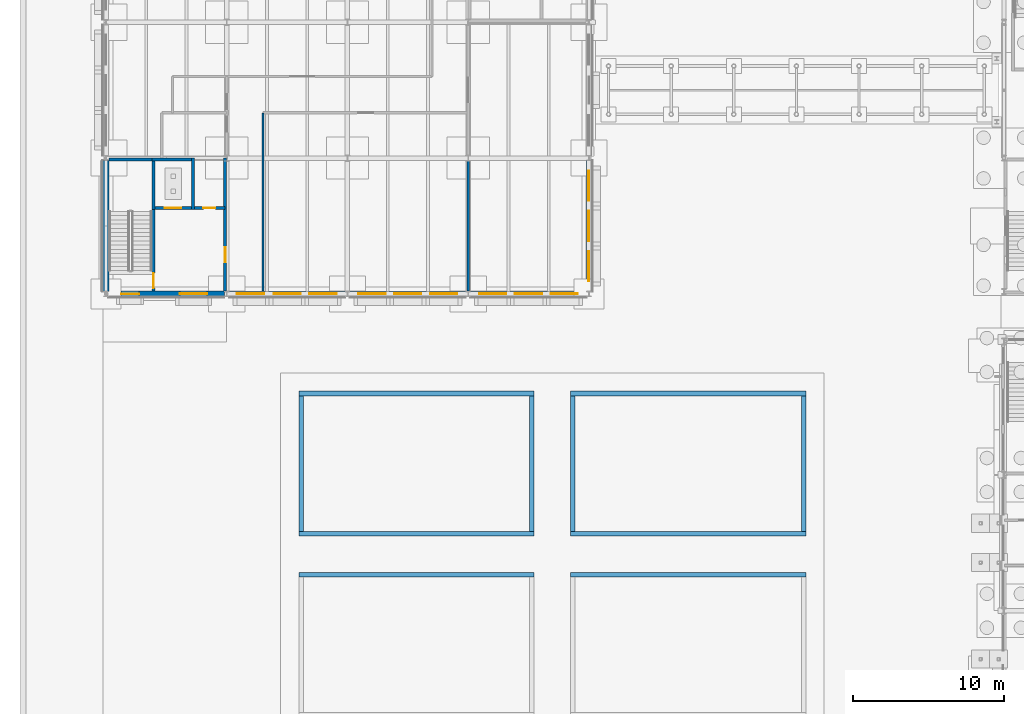
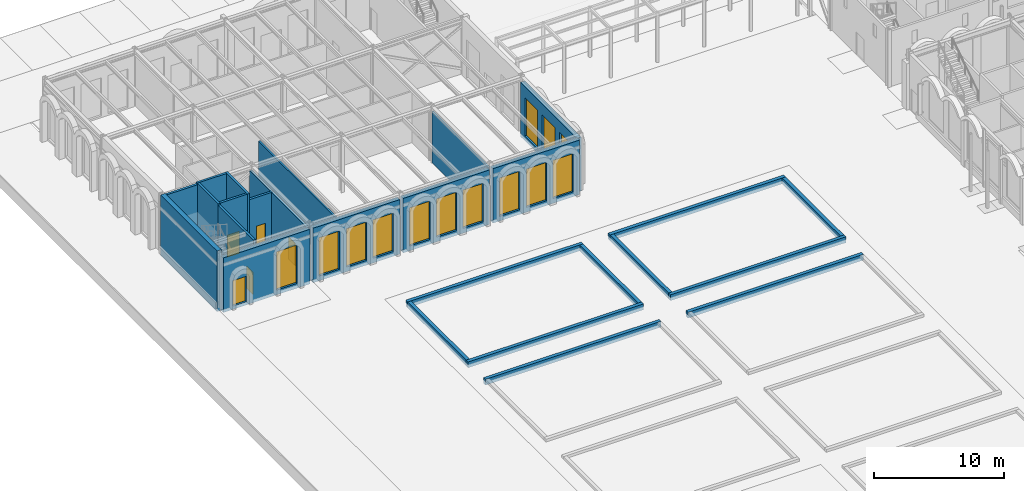
# One storey, part 74 of 126: 26 walls, 13 windows, 5 doors, 18 openings.
"""IFC4 building model written with IfcOpenShell, lengths in metres."""

from ifc_helpers import new_model, si_unit, direction, frame, frame_2d, origin, place, context, subcontext, project, spatial, rectangle, extrude, material, layer, layer_set, type_object, element, fill, save


model = new_model("IFC4")

# Units and contexts
model_context = context("Model", 3, precision=1e-05, world=origin(), true_north=direction((0.0, 1.0)))
body_context = subcontext(model_context, "Body", "Model", "MODEL_VIEW")
ifc_project = project(units=[si_unit("LENGTHUNIT", "METRE"), si_unit("AREAUNIT", "SQUARE_METRE"), si_unit("VOLUMEUNIT", "CUBIC_METRE"), si_unit("PLANEANGLEUNIT", "RADIAN"), si_unit("MASSUNIT", "GRAM", prefix="KILO")], contexts=[model_context])

# Site, building, storey
site_placement = place(None, origin())
site = spatial("IfcSite", under=ifc_project, at=site_placement, CompositionType="ELEMENT")
building_placement = place(site_placement, origin())
building = spatial("IfcBuilding", under=site, at=building_placement, Name="Kallimachos Central Library", CompositionType="ELEMENT")
storey_placement = place(building_placement, origin())
storey = spatial("IfcBuildingStorey", under=building, at=storey_placement, Name="L00", CompositionType="ELEMENT", Elevation=0.0)

# Wall, opening, door
ifc_material_1 = material(Name="Concrete C30/37", Category="concrete")
ifc_layer_1 = layer(ifc_material_1, 0.199951171875)
ifc_layer_set_1 = layer_set([ifc_layer_1], Name="Core wall 200")
wall_type_1 = type_object("IfcWallType", Name="Core wall 200", PredefinedType="SOLIDWALL", material=ifc_layer_set_1)
wall_1_placement = place(storey_placement, frame((9.14990234375, 87.199951171875, 0.0), z_axis=(0.0, 0.0, 1.0), x_axis=(0.0, 1.0, 0.0)))
wall_1 = element("IfcWall", 1, at=wall_1_placement, inside=storey, type_object=wall_type_1, Name="Core wall sw-stair-lobby L00", PredefinedType="SOLIDWALL", context=body_context, shape_type="SweptSolid", body=[
    extrude(rectangle(XDim=5.400146484375, YDim=0.199951171875, at=frame_2d((2.7001953125, 0.0))), origin(), (0.0, 0.0, 1.0), 5.25),
])
opening_1_placement = place(wall_1_placement, frame((0.175048828125, 0.0, 0.0)))
opening_1 = element("IfcOpeningElement", 2, at=opening_1_placement, cuts=wall_1, Name="Opening D288", PredefinedType="OPENING", context=body_context, shape_type="SweptSolid", body=[
    extrude(rectangle(XDim=1.0, YDim=2.10009765625, at=frame_2d((0.5, 1.050048828125))), frame((0.0, 0.10986328125, 0.0), z_axis=(0.0, -1.0, 0.0), x_axis=(1.0, 0.0, 0.0)), (0.0, 0.0, 1.0), 0.219970703125),
])
ifc_material_2 = material(Name="Steel fire door", Category="steel")
door_type_1 = type_object("IfcDoorType", Name="Fire door 1000 x 2100", OperationType="NOTDEFINED", PredefinedType="DOOR", material=ifc_material_2)
door_1_placement = place(opening_1_placement, origin())
door_1 = element("IfcDoor", 3, at=door_1_placement, inside=storey, type_object=door_type_1, Name="Stair ST5 door", OperationType="SINGLE_SWING_RIGHT", OverallHeight=2.10009765625, OverallWidth=1.0, PredefinedType="DOOR", context=body_context, shape_type="SweptSolid", body=[
    extrude(rectangle(XDim=1.0, YDim=2.10009765625, at=frame_2d((0.5, 1.050048828125))), frame((0.0, 0.02490234375, 0.0), z_axis=(0.0, -1.0, 0.0), x_axis=(1.0, 0.0, 0.0)), (0.0, 0.0, 1.0), 0.050048828125),
])
fill(opening_1, door_1)

# Wall
wall_2_placement = place(storey_placement, frame((6.199951171875, 95.89990234375, 0.0), z_axis=(0.0, 0.0, 1.0), x_axis=(1.0, 0.0, 0.0)))
element("IfcWall", 4, at=wall_2_placement, inside=storey, type_object=wall_type_1, Name="Core wall sw-stair-north L00", PredefinedType="SOLIDWALL", context=body_context, shape_type="SweptSolid", body=[
    extrude(rectangle(XDim=2.85009765625, YDim=0.199951171875, at=frame_2d((1.425048828125, 0.0))), origin(), (0.0, 0.0, 1.0), 5.25),
])

# Wall, opening, door
wall_3_placement = place(storey_placement, frame((13.89990234375, 87.199951171875, 0.0), z_axis=(0.0, 0.0, 1.0), x_axis=(0.0, 1.0, 0.0)))
wall_3 = element("IfcWall", 5, at=wall_3_placement, inside=storey, type_object=wall_type_1, Name="Core wall sw-east L00", PredefinedType="SOLIDWALL", context=body_context, shape_type="SweptSolid", body=[
    extrude(rectangle(XDim=8.800048828125, YDim=0.199951171875, at=frame_2d((4.39990234375, 0.0))), origin(), (0.0, 0.0, 1.0), 4.81005859375),
])
opening_2_placement = place(wall_3_placement, frame((1.89990234375, 0.0, 0.0)))
opening_2 = element("IfcOpeningElement", 6, at=opening_2_placement, cuts=wall_3, Name="Opening D289", PredefinedType="OPENING", context=body_context, shape_type="SweptSolid", body=[
    extrude(rectangle(XDim=1.0, YDim=2.10009765625, at=frame_2d((0.5, 1.050048828125))), frame((0.0, 0.10986328125, 0.0), z_axis=(0.0, -1.0, 0.0), x_axis=(1.0, 0.0, 0.0)), (0.0, 0.0, 1.0), 0.219970703125),
])
door_2_placement = place(opening_2_placement, origin())
door_2 = element("IfcDoor", 7, at=door_2_placement, inside=storey, type_object=door_type_1, Name="Stair lobby ST5 door to corridor", OperationType="SINGLE_SWING_RIGHT", OverallHeight=2.10009765625, OverallWidth=1.0, PredefinedType="DOOR", context=body_context, shape_type="SweptSolid", body=[
    extrude(rectangle(XDim=1.0, YDim=2.10009765625, at=frame_2d((0.5, 1.050048828125))), frame((0.0, 0.02490234375, 0.0), z_axis=(0.0, -1.0, 0.0), x_axis=(1.0, 0.0, 0.0)), (0.0, 0.0, 1.0), 0.050048828125),
])
fill(opening_2, door_2)

ifc_material_3 = material(Name="Concrete C30/37", Category="concrete")
ifc_layer_2 = layer(ifc_material_3, 0.199951171875)
ifc_layer_set_2 = layer_set([ifc_layer_2], Name="Core wall 200, non-load-bearing")
wall_type_2 = type_object("IfcWallType", Name="Core wall 200, non-load-bearing", PredefinedType="SOLIDWALL", material=ifc_layer_set_2)
wall_4_placement = place(storey_placement, frame((11.85009765625, 92.699951171875, 0.0), z_axis=(0.0, 0.0, 1.0), x_axis=(1.0, 0.0, 0.0)))
wall_4 = element("IfcWall", 8, at=wall_4_placement, inside=storey, type_object=wall_type_2, Name="Core wall sw-lobby-north-east L00", PredefinedType="SOLIDWALL", context=body_context, shape_type="SweptSolid", body=[
    extrude(rectangle(XDim=2.0498046875, YDim=0.199951171875, at=frame_2d((1.02490234375, 0.0))), origin(), (0.0, 0.0, 1.0), 4.81005859375),
])
opening_3_placement = place(wall_4_placement, frame((0.60009765625, 0.0, 0.0)))
opening_3 = element("IfcOpeningElement", 9, at=opening_3_placement, cuts=wall_4, Name="Opening D290", PredefinedType="OPENING", context=body_context, shape_type="SweptSolid", body=[
    extrude(rectangle(XDim=0.800048828125, YDim=2.10009765625, at=frame_2d((0.39990234375, 1.050048828125))), frame((0.0, 0.10986328125, 0.0), z_axis=(0.0, -1.0, 0.0), x_axis=(1.0, 0.0, 0.0)), (0.0, 0.0, 1.0), 0.219970703125),
])
ifc_material_4 = material(Name="Steel fire door", Category="steel")
door_type_2 = type_object("IfcDoorType", Name="Riser door 800 x 2100", OperationType="NOTDEFINED", PredefinedType="DOOR", material=ifc_material_4)
door_3_placement = place(opening_3_placement, origin())
door_3 = element("IfcDoor", 10, at=door_3_placement, inside=storey, type_object=door_type_2, Name="Riser 1 door", OperationType="SINGLE_SWING_RIGHT", OverallHeight=2.10009765625, OverallWidth=0.800048828125, PredefinedType="DOOR", context=body_context, shape_type="SweptSolid", body=[
    extrude(rectangle(XDim=0.800048828125, YDim=2.10009765625, at=frame_2d((0.39990234375, 1.050048828125))), frame((0.0, 0.02490234375, 0.0), z_axis=(0.0, -1.0, 0.0), x_axis=(1.0, 0.0, 0.0)), (0.0, 0.0, 1.0), 0.050048828125),
])
fill(opening_3, door_3)

# Walls
ifc_material_5 = material(Name="Granite kerb stone", Category="masonry")
ifc_layer_3 = layer(ifc_material_5, 0.300048828125)
ifc_layer_set_3 = layer_set([ifc_layer_3], Name="Granite kerb 300")
wall_type_3 = type_object("IfcWallType", Name="Granite kerb 300", PredefinedType="SOLIDWALL", material=ifc_layer_set_3)
for number, where, z_axis, x_axis, name in (
    (11, (18.77490234375, 68.39990234375, -0.300048828125), (0.0, 0.0, 1.0), (1.0, 0.0, 0.0), "Garden bed kerb north 18-58"),
    (12, (18.77490234375, 71.10009765625, -0.300048828125), (0.0, 0.0, 1.0), (1.0, 0.0, 0.0), "Garden bed kerb south 18-70"),
    (13, (18.77490234375, 80.39990234375, -0.300048828125), (0.0, 0.0, 1.0), (1.0, 0.0, 0.0), "Garden bed kerb north 18-70"),
):
    element("IfcWall", number, at=place(storey_placement, frame(where, z_axis=z_axis, x_axis=x_axis)), inside=storey, type_object=wall_type_3, Name=name, PredefinedType="SOLIDWALL", context=body_context, shape_type="SweptSolid", body=[
        extrude(rectangle(XDim=15.60009765625, YDim=0.300048828125, at=frame_2d((7.800048828125, 0.0))), origin(), (0.0, 0.0, 1.0), 0.550048828125),
    ])
for number, where, z_axis, x_axis, name in (
    (14, (18.925048828125, 71.25, -0.300048828125), (0.0, 0.0, 1.0), (0.0, 1.0, 0.0), "Garden bed kerb west 18-70"),
    (15, (34.22509765625, 71.25, -0.300048828125), (0.0, 0.0, 1.0), (0.0, 1.0, 0.0), "Garden bed kerb east 18-70"),
):
    element("IfcWall", number, at=place(storey_placement, frame(where, z_axis=z_axis, x_axis=x_axis)), inside=storey, type_object=wall_type_3, Name=name, PredefinedType="SOLIDWALL", context=body_context, shape_type="SweptSolid", body=[
        extrude(rectangle(XDim=9.0, YDim=0.300048828125, at=frame_2d((4.5, 0.0))), origin(), (0.0, 0.0, 1.0), 0.550048828125),
    ])
for number, where, z_axis, x_axis, name in (
    (16, (36.77490234375, 68.39990234375, -0.300048828125), (0.0, 0.0, 1.0), (1.0, 0.0, 0.0), "Garden bed kerb north 36-58"),
    (17, (36.77490234375, 71.10009765625, -0.300048828125), (0.0, 0.0, 1.0), (1.0, 0.0, 0.0), "Garden bed kerb south 36-70"),
    (18, (36.77490234375, 80.39990234375, -0.300048828125), (0.0, 0.0, 1.0), (1.0, 0.0, 0.0), "Garden bed kerb north 36-70"),
):
    element("IfcWall", number, at=place(storey_placement, frame(where, z_axis=z_axis, x_axis=x_axis)), inside=storey, type_object=wall_type_3, Name=name, PredefinedType="SOLIDWALL", context=body_context, shape_type="SweptSolid", body=[
        extrude(rectangle(XDim=15.60009765625, YDim=0.300048828125, at=frame_2d((7.800048828125, 0.0))), origin(), (0.0, 0.0, 1.0), 0.550048828125),
    ])
for number, where, z_axis, x_axis, name in (
    (19, (36.925048828125, 71.25, -0.300048828125), (0.0, 0.0, 1.0), (0.0, 1.0, 0.0), "Garden bed kerb west 36-70"),
    (20, (52.22509765625, 71.25, -0.300048828125), (0.0, 0.0, 1.0), (0.0, 1.0, 0.0), "Garden bed kerb east 36-70"),
):
    element("IfcWall", number, at=place(storey_placement, frame(where, z_axis=z_axis, x_axis=x_axis)), inside=storey, type_object=wall_type_3, Name=name, PredefinedType="SOLIDWALL", context=body_context, shape_type="SweptSolid", body=[
        extrude(rectangle(XDim=9.0, YDim=0.300048828125, at=frame_2d((4.5, 0.0))), origin(), (0.0, 0.0, 1.0), 0.550048828125),
    ])
ifc_material_6 = material(Name="Concrete C30/37", Category="concrete")
ifc_layer_4 = layer(ifc_material_6, 0.199951171875)
ifc_layer_set_4 = layer_set([ifc_layer_4], Name="Lift shaft wall 200")
wall_type_4 = type_object("IfcWallType", Name="Lift shaft wall 200", PredefinedType="SOLIDWALL", material=ifc_layer_set_4)
wall_5_placement = place(storey_placement, frame((9.050048828125, 95.89990234375, -1.10009765625), z_axis=(0.0, 0.0, 1.0), x_axis=(1.0, 0.0, 0.0)))
element("IfcWall", 21, at=wall_5_placement, inside=storey, type_object=wall_type_4, Name="V2-WAL-L00-001", PredefinedType="SOLIDWALL", context=body_context, shape_type="SweptSolid", body=[
    extrude(rectangle(XDim=2.599853515625, YDim=0.199951171875, at=frame_2d((1.2998046875, 0.0))), origin(), (0.0, 0.0, 1.0), 6.5),
])

# Wall, opening, door
wall_6_placement = place(storey_placement, frame((9.25, 92.699951171875, -1.10009765625), z_axis=(0.0, 0.0, 1.0), x_axis=(1.0, 0.0, 0.0)))
wall_6 = element("IfcWall", 22, at=wall_6_placement, inside=storey, type_object=wall_type_4, Name="V2-WAL-L00-002", PredefinedType="SOLIDWALL", context=body_context, shape_type="SweptSolid", body=[
    extrude(rectangle(XDim=2.39990234375, YDim=0.199951171875, at=frame_2d((1.199951171875, 0.0))), origin(), (0.0, 0.0, 1.0), 6.5),
])
opening_4_placement = place(wall_6_placement, frame((0.64990234375, 0.0, 1.10009765625)))
opening_4 = element("IfcOpeningElement", 23, at=opening_4_placement, cuts=wall_6, Name="Opening LD1100", PredefinedType="OPENING", context=body_context, shape_type="SweptSolid", body=[
    extrude(rectangle(XDim=1.10009765625, YDim=2.10009765625, at=frame_2d((0.550048828125, 1.050048828125))), frame((0.0, 0.10986328125, 0.0), z_axis=(0.0, -1.0, 0.0), x_axis=(1.0, 0.0, 0.0)), (0.0, 0.0, 1.0), 0.219970703125),
])
ifc_material_7 = material(Name="Stainless steel", Category="steel")
door_type_3 = type_object("IfcDoorType", Name="Lift landing door 1100 x 2100", OperationType="SLIDING_TO_LEFT", PredefinedType="DOOR", material=ifc_material_7)
door_4_placement = place(opening_4_placement, origin())
door_4 = element("IfcDoor", 24, at=door_4_placement, inside=storey, type_object=door_type_3, Name="LF5 landing door L00", OperationType="SLIDING_TO_LEFT", OverallHeight=2.10009765625, OverallWidth=1.10009765625, PredefinedType="DOOR", context=body_context, shape_type="SweptSolid", body=[
    extrude(rectangle(XDim=1.10009765625, YDim=2.10009765625, at=frame_2d((0.550048828125, 1.050048828125))), frame((0.0, 0.02490234375, 0.0), z_axis=(0.0, -1.0, 0.0), x_axis=(1.0, 0.0, 0.0)), (0.0, 0.0, 1.0), 0.050048828125),
])
fill(opening_4, door_4)

# Walls
for number, where, z_axis, x_axis, name in (
    (25, (9.14990234375, 92.60009765625, -1.10009765625), (0.0, 0.0, 1.0), (0.0, 1.0, 0.0), "V2-WAL-L00-003"),
    (26, (11.75, 92.60009765625, -1.10009765625), (0.0, 0.0, 1.0), (0.0, 1.0, 0.0), "V2-WAL-L00-004"),
):
    element("IfcWall", number, at=place(storey_placement, frame(where, z_axis=z_axis, x_axis=x_axis)), inside=storey, type_object=wall_type_4, Name=name, PredefinedType="SOLIDWALL", context=body_context, shape_type="SweptSolid", body=[
        extrude(rectangle(XDim=3.39990234375, YDim=0.199951171875, at=frame_2d((1.699951171875, 0.0))), origin(), (0.0, 0.0, 1.0), 6.5),
    ])
ifc_material_8 = material(Name="Gypsum board on steel studs", Category="steel")
ifc_layer_5 = layer(ifc_material_8, 0.14990234375)
ifc_layer_set_5 = layer_set([ifc_layer_5], Name="Partition wall 150")
wall_type_5 = type_object("IfcWallType", Name="Partition wall 150", PredefinedType="PARTITIONING", material=ifc_layer_set_5)
wall_7_placement = place(storey_placement, frame((16.39990234375, 87.199951171875, 0.0), z_axis=(0.0, 0.0, 1.0), x_axis=(0.0, 1.0, 0.0)))
element("IfcWall", 27, at=wall_7_placement, inside=storey, type_object=wall_type_5, Name="Partition L00", PredefinedType="PARTITIONING", context=body_context, shape_type="SweptSolid", body=[
    extrude(rectangle(XDim=11.800048828125, YDim=0.14990234375, at=frame_2d((5.89990234375, 0.0))), origin(), (0.0, 0.0, 1.0), 4.860107421875),
])
wall_8_placement = place(storey_placement, frame((30.0, 87.199951171875, 0.0), z_axis=(0.0, 0.0, 1.0), x_axis=(0.0, 1.0, 0.0)))
element("IfcWall", 28, at=wall_8_placement, inside=storey, type_object=wall_type_5, Name="Partition L00", PredefinedType="PARTITIONING", context=body_context, shape_type="SweptSolid", body=[
    extrude(rectangle(XDim=8.650146484375, YDim=0.14990234375, at=frame_2d((4.3251953125, 0.0))), origin(), (0.0, 0.0, 1.0), 4.81005859375),
])

# Wall, openings, door, window
ifc_material_9 = material(Name="Pentelic marble cladding on insulated brick masonry", Category="masonry")
ifc_layer_6 = layer(ifc_material_9, 0.39990234375)
ifc_layer_set_6 = layer_set([ifc_layer_6], Name="Stone cladding wall 400")
wall_type_6 = type_object("IfcWallType", Name="Stone cladding wall 400", PredefinedType="SOLIDWALL", material=ifc_layer_set_6)
wall_9_placement = place(storey_placement, frame((6.14990234375, 87.0, -0.300048828125), z_axis=(0.0, 0.0, 1.0), x_axis=(1.0, 0.0, 0.0)))
wall_9 = element("IfcWall", 29, at=wall_9_placement, inside=storey, type_object=wall_type_6, Name="Stone wall S1 L00", PredefinedType="SOLIDWALL", context=body_context, shape_type="SweptSolid", body=[
    extrude(rectangle(XDim=7.7001953125, YDim=0.39990234375, at=frame_2d((3.85009765625, 0.0))), origin(), (0.0, 0.0, 1.0), 5.130126953125),
])
opening_5_placement = place(wall_9_placement, frame((0.85009765625, 0.0, 0.300048828125)))
opening_5 = element("IfcOpeningElement", 30, at=opening_5_placement, cuts=wall_9, Name="Opening D64", PredefinedType="OPENING", context=body_context, shape_type="SweptSolid", body=[
    extrude(rectangle(XDim=1.199951171875, YDim=2.39990234375, at=frame_2d((0.60009765625, 1.199951171875))), frame((0.0, 0.2099609375, 0.0), z_axis=(0.0, -1.0, 0.0), x_axis=(1.0, 0.0, 0.0)), (0.0, 0.0, 1.0), 0.419921875),
])
opening_6_placement = place(wall_9_placement, frame((4.75, 0.0, 0.449951171875)))
opening_6 = element("IfcOpeningElement", 31, at=opening_6_placement, cuts=wall_9, Name="Opening WN163", PredefinedType="OPENING", context=body_context, shape_type="SweptSolid", body=[
    extrude(rectangle(XDim=1.800048828125, YDim=3.60009765625, at=frame_2d((0.89990234375, 1.800048828125))), frame((0.0, 0.2099609375, 0.0), z_axis=(0.0, -1.0, 0.0), x_axis=(1.0, 0.0, 0.0)), (0.0, 0.0, 1.0), 0.419921875),
])
ifc_material_10 = material(Name="Steel door", Category="steel")
door_type_4 = type_object("IfcDoorType", Name="Exit door 1200 x 2400", OperationType="NOTDEFINED", PredefinedType="DOOR", material=ifc_material_10)
door_5_placement = place(opening_5_placement, frame((1.199951171875, 0.0, 0.0), z_axis=(0.0, 0.0, 1.0), x_axis=(-1.0, 0.0, 0.0)))
door_5 = element("IfcDoor", 32, at=door_5_placement, inside=storey, type_object=door_type_4, Name="Exit Door ST5", OperationType="SINGLE_SWING_LEFT", OverallHeight=2.39990234375, OverallWidth=1.199951171875, PredefinedType="DOOR", context=body_context, shape_type="SweptSolid", body=[
    extrude(rectangle(XDim=1.199951171875, YDim=2.39990234375, at=frame_2d((0.60009765625, 1.199951171875))), frame((0.0, 0.02490234375, 0.0), z_axis=(0.0, -1.0, 0.0), x_axis=(1.0, 0.0, 0.0)), (0.0, 0.0, 1.0), 0.050048828125),
])
fill(opening_5, door_5)
ifc_material_11 = material(Name="Laminated safety glass in painted steel frame", Category="steel")
window_type_1 = type_object("IfcWindowType", Name="Window 1800 x 3600", PartitioningType="SINGLE_PANEL", PredefinedType="WINDOW", material=ifc_material_11)
window_1_placement = place(opening_6_placement, origin())
window_1 = element("IfcWindow", 33, at=window_1_placement, inside=storey, type_object=window_type_1, Name="V2-WIN-L00-001", OverallHeight=3.60009765625, OverallWidth=1.800048828125, PartitioningType="SINGLE_PANEL", PredefinedType="WINDOW", context=body_context, shape_type="SweptSolid", body=[
    extrude(rectangle(XDim=1.800048828125, YDim=3.60009765625, at=frame_2d((0.89990234375, 1.800048828125))), frame((0.0, 0.030029296875, 0.0), z_axis=(0.0, -1.0, 0.0), x_axis=(1.0, 0.0, 0.0)), (0.0, 0.0, 1.0), 0.06005859375),
])
fill(opening_6, window_1)

# Wall
ifc_material_12 = material(Name="Pentelic marble cladding on insulated brick masonry", Category="masonry")
ifc_layer_7 = layer(ifc_material_12, 0.39990234375)
ifc_layer_set_7 = layer_set([ifc_layer_7], Name="Stone cladding wall 400, load-bearing")
wall_type_7 = type_object("IfcWallType", Name="Stone cladding wall 400, load-bearing", PredefinedType="SOLIDWALL", material=ifc_layer_set_7)
wall_10_placement = place(storey_placement, frame((6.0, 87.14990234375, -0.300048828125), z_axis=(0.0, 0.0, 1.0), x_axis=(0.0, 1.0, 0.0)))
element("IfcWall", 34, at=wall_10_placement, inside=storey, type_object=wall_type_7, Name="Stone wall W1 L00", PredefinedType="SOLIDWALL", context=body_context, shape_type="SweptSolid", body=[
    extrude(rectangle(XDim=8.7001953125, YDim=0.39990234375, at=frame_2d((4.35009765625, 0.0))), origin(), (0.0, 0.0, 1.0), 5.699951171875),
])

# Wall, openings, windows
ifc_material_13 = material(Name="Pentelic marble cladding on insulated brick masonry", Category="masonry")
ifc_layer_8 = layer(ifc_material_13, 0.39990234375)
ifc_layer_set_8 = layer_set([ifc_layer_8], Name="Stone cladding wall 400, unrated")
wall_type_8 = type_object("IfcWallType", Name="Stone cladding wall 400, unrated", PredefinedType="SOLIDWALL", material=ifc_layer_set_8)
wall_11_placement = place(storey_placement, frame((14.14990234375, 87.0, -0.300048828125), z_axis=(0.0, 0.0, 1.0), x_axis=(1.0, 0.0, 0.0)))
wall_11 = element("IfcWall", 35, at=wall_11_placement, inside=storey, type_object=wall_type_8, Name="Stone wall S2 L00", PredefinedType="SOLIDWALL", context=body_context, shape_type="SweptSolid", body=[
    extrude(rectangle(XDim=7.7001953125, YDim=0.39990234375, at=frame_2d((3.85009765625, 0.0))), origin(), (0.0, 0.0, 1.0), 5.130126953125),
])
opening_7_placement = place(wall_11_placement, frame((0.52490234375, 0.0, 0.449951171875)))
opening_7 = element("IfcOpeningElement", 36, at=opening_7_placement, cuts=wall_11, Name="Opening WN168", PredefinedType="OPENING", context=body_context, shape_type="SweptSolid", body=[
    extrude(rectangle(XDim=1.800048828125, YDim=3.60009765625, at=frame_2d((0.89990234375, 1.800048828125))), frame((0.0, 0.2099609375, 0.0), z_axis=(0.0, -1.0, 0.0), x_axis=(1.0, 0.0, 0.0)), (0.0, 0.0, 1.0), 0.419921875),
])
opening_8_placement = place(wall_11_placement, frame((2.949951171875, 0.0, 0.449951171875)))
opening_8 = element("IfcOpeningElement", 37, at=opening_8_placement, cuts=wall_11, Name="Opening WN169", PredefinedType="OPENING", context=body_context, shape_type="SweptSolid", body=[
    extrude(rectangle(XDim=1.800048828125, YDim=3.60009765625, at=frame_2d((0.89990234375, 1.800048828125))), frame((0.0, 0.2099609375, 0.0), z_axis=(0.0, -1.0, 0.0), x_axis=(1.0, 0.0, 0.0)), (0.0, 0.0, 1.0), 0.419921875),
])
opening_9_placement = place(wall_11_placement, frame((5.324951171875, 0.0, 0.449951171875)))
opening_9 = element("IfcOpeningElement", 38, at=opening_9_placement, cuts=wall_11, Name="Opening WN170", PredefinedType="OPENING", context=body_context, shape_type="SweptSolid", body=[
    extrude(rectangle(XDim=1.800048828125, YDim=3.60009765625, at=frame_2d((0.89990234375, 1.800048828125))), frame((0.0, 0.2099609375, 0.0), z_axis=(0.0, -1.0, 0.0), x_axis=(1.0, 0.0, 0.0)), (0.0, 0.0, 1.0), 0.419921875),
])
window_2_placement = place(opening_7_placement, origin())
window_2 = element("IfcWindow", 39, at=window_2_placement, inside=storey, type_object=window_type_1, Name="V2-WIN-L00-002", OverallHeight=3.60009765625, OverallWidth=1.800048828125, PartitioningType="SINGLE_PANEL", PredefinedType="WINDOW", context=body_context, shape_type="SweptSolid", body=[
    extrude(rectangle(XDim=1.800048828125, YDim=3.60009765625, at=frame_2d((0.89990234375, 1.800048828125))), frame((0.0, 0.030029296875, 0.0), z_axis=(0.0, -1.0, 0.0), x_axis=(1.0, 0.0, 0.0)), (0.0, 0.0, 1.0), 0.06005859375),
])
fill(opening_7, window_2)
window_3_placement = place(opening_8_placement, origin())
window_3 = element("IfcWindow", 40, at=window_3_placement, inside=storey, type_object=window_type_1, Name="V2-WIN-L00-003", OverallHeight=3.60009765625, OverallWidth=1.800048828125, PartitioningType="SINGLE_PANEL", PredefinedType="WINDOW", context=body_context, shape_type="SweptSolid", body=[
    extrude(rectangle(XDim=1.800048828125, YDim=3.60009765625, at=frame_2d((0.89990234375, 1.800048828125))), frame((0.0, 0.030029296875, 0.0), z_axis=(0.0, -1.0, 0.0), x_axis=(1.0, 0.0, 0.0)), (0.0, 0.0, 1.0), 0.06005859375),
])
fill(opening_8, window_3)
window_4_placement = place(opening_9_placement, origin())
window_4 = element("IfcWindow", 41, at=window_4_placement, inside=storey, type_object=window_type_1, Name="V2-WIN-L00-004", OverallHeight=3.60009765625, OverallWidth=1.800048828125, PartitioningType="SINGLE_PANEL", PredefinedType="WINDOW", context=body_context, shape_type="SweptSolid", body=[
    extrude(rectangle(XDim=1.800048828125, YDim=3.60009765625, at=frame_2d((0.89990234375, 1.800048828125))), frame((0.0, 0.030029296875, 0.0), z_axis=(0.0, -1.0, 0.0), x_axis=(1.0, 0.0, 0.0)), (0.0, 0.0, 1.0), 0.06005859375),
])
fill(opening_9, window_4)

wall_12_placement = place(storey_placement, frame((22.14990234375, 87.0, -0.300048828125), z_axis=(0.0, 0.0, 1.0), x_axis=(1.0, 0.0, 0.0)))
wall_12 = element("IfcWall", 42, at=wall_12_placement, inside=storey, type_object=wall_type_8, Name="Stone wall S3 L00", PredefinedType="SOLIDWALL", context=body_context, shape_type="SweptSolid", body=[
    extrude(rectangle(XDim=7.7001953125, YDim=0.39990234375, at=frame_2d((3.85009765625, 0.0))), origin(), (0.0, 0.0, 1.0), 5.130126953125),
])
opening_10_placement = place(wall_12_placement, frame((0.574951171875, 0.0, 0.449951171875)))
opening_10 = element("IfcOpeningElement", 43, at=opening_10_placement, cuts=wall_12, Name="Opening WN177", PredefinedType="OPENING", context=body_context, shape_type="SweptSolid", body=[
    extrude(rectangle(XDim=1.800048828125, YDim=3.60009765625, at=frame_2d((0.89990234375, 1.800048828125))), frame((0.0, 0.2099609375, 0.0), z_axis=(0.0, -1.0, 0.0), x_axis=(1.0, 0.0, 0.0)), (0.0, 0.0, 1.0), 0.419921875),
])
opening_11_placement = place(wall_12_placement, frame((2.949951171875, 0.0, 0.449951171875)))
opening_11 = element("IfcOpeningElement", 44, at=opening_11_placement, cuts=wall_12, Name="Opening WN178", PredefinedType="OPENING", context=body_context, shape_type="SweptSolid", body=[
    extrude(rectangle(XDim=1.800048828125, YDim=3.60009765625, at=frame_2d((0.89990234375, 1.800048828125))), frame((0.0, 0.2099609375, 0.0), z_axis=(0.0, -1.0, 0.0), x_axis=(1.0, 0.0, 0.0)), (0.0, 0.0, 1.0), 0.419921875),
])
opening_12_placement = place(wall_12_placement, frame((5.324951171875, 0.0, 0.449951171875)))
opening_12 = element("IfcOpeningElement", 45, at=opening_12_placement, cuts=wall_12, Name="Opening WN179", PredefinedType="OPENING", context=body_context, shape_type="SweptSolid", body=[
    extrude(rectangle(XDim=1.800048828125, YDim=3.60009765625, at=frame_2d((0.89990234375, 1.800048828125))), frame((0.0, 0.2099609375, 0.0), z_axis=(0.0, -1.0, 0.0), x_axis=(1.0, 0.0, 0.0)), (0.0, 0.0, 1.0), 0.419921875),
])
window_5_placement = place(opening_10_placement, origin())
window_5 = element("IfcWindow", 46, at=window_5_placement, inside=storey, type_object=window_type_1, Name="V2-WIN-L00-005", OverallHeight=3.60009765625, OverallWidth=1.800048828125, PartitioningType="SINGLE_PANEL", PredefinedType="WINDOW", context=body_context, shape_type="SweptSolid", body=[
    extrude(rectangle(XDim=1.800048828125, YDim=3.60009765625, at=frame_2d((0.89990234375, 1.800048828125))), frame((0.0, 0.030029296875, 0.0), z_axis=(0.0, -1.0, 0.0), x_axis=(1.0, 0.0, 0.0)), (0.0, 0.0, 1.0), 0.06005859375),
])
fill(opening_10, window_5)
window_6_placement = place(opening_11_placement, origin())
window_6 = element("IfcWindow", 47, at=window_6_placement, inside=storey, type_object=window_type_1, Name="V2-WIN-L00-006", OverallHeight=3.60009765625, OverallWidth=1.800048828125, PartitioningType="SINGLE_PANEL", PredefinedType="WINDOW", context=body_context, shape_type="SweptSolid", body=[
    extrude(rectangle(XDim=1.800048828125, YDim=3.60009765625, at=frame_2d((0.89990234375, 1.800048828125))), frame((0.0, 0.030029296875, 0.0), z_axis=(0.0, -1.0, 0.0), x_axis=(1.0, 0.0, 0.0)), (0.0, 0.0, 1.0), 0.06005859375),
])
fill(opening_11, window_6)
window_7_placement = place(opening_12_placement, origin())
window_7 = element("IfcWindow", 48, at=window_7_placement, inside=storey, type_object=window_type_1, Name="V2-WIN-L00-007", OverallHeight=3.60009765625, OverallWidth=1.800048828125, PartitioningType="SINGLE_PANEL", PredefinedType="WINDOW", context=body_context, shape_type="SweptSolid", body=[
    extrude(rectangle(XDim=1.800048828125, YDim=3.60009765625, at=frame_2d((0.89990234375, 1.800048828125))), frame((0.0, 0.030029296875, 0.0), z_axis=(0.0, -1.0, 0.0), x_axis=(1.0, 0.0, 0.0)), (0.0, 0.0, 1.0), 0.06005859375),
])
fill(opening_12, window_7)

wall_13_placement = place(storey_placement, frame((30.14990234375, 87.0, -0.300048828125), z_axis=(0.0, 0.0, 1.0), x_axis=(1.0, 0.0, 0.0)))
wall_13 = element("IfcWall", 49, at=wall_13_placement, inside=storey, type_object=wall_type_8, Name="Stone wall S4 L00", PredefinedType="SOLIDWALL", context=body_context, shape_type="SweptSolid", body=[
    extrude(rectangle(XDim=7.7001953125, YDim=0.39990234375, at=frame_2d((3.85009765625, 0.0))), origin(), (0.0, 0.0, 1.0), 5.130126953125),
])
opening_13_placement = place(wall_13_placement, frame((0.574951171875, 0.0, 0.449951171875)))
opening_13 = element("IfcOpeningElement", 50, at=opening_13_placement, cuts=wall_13, Name="Opening WN186", PredefinedType="OPENING", context=body_context, shape_type="SweptSolid", body=[
    extrude(rectangle(XDim=1.800048828125, YDim=3.60009765625, at=frame_2d((0.89990234375, 1.800048828125))), frame((0.0, 0.2099609375, 0.0), z_axis=(0.0, -1.0, 0.0), x_axis=(1.0, 0.0, 0.0)), (0.0, 0.0, 1.0), 0.419921875),
])
opening_14_placement = place(wall_13_placement, frame((2.949951171875, 0.0, 0.449951171875)))
opening_14 = element("IfcOpeningElement", 51, at=opening_14_placement, cuts=wall_13, Name="Opening WN187", PredefinedType="OPENING", context=body_context, shape_type="SweptSolid", body=[
    extrude(rectangle(XDim=1.800048828125, YDim=3.60009765625, at=frame_2d((0.89990234375, 1.800048828125))), frame((0.0, 0.2099609375, 0.0), z_axis=(0.0, -1.0, 0.0), x_axis=(1.0, 0.0, 0.0)), (0.0, 0.0, 1.0), 0.419921875),
])
opening_15_placement = place(wall_13_placement, frame((5.324951171875, 0.0, 0.449951171875)))
opening_15 = element("IfcOpeningElement", 52, at=opening_15_placement, cuts=wall_13, Name="Opening WN188", PredefinedType="OPENING", context=body_context, shape_type="SweptSolid", body=[
    extrude(rectangle(XDim=1.800048828125, YDim=3.60009765625, at=frame_2d((0.89990234375, 1.800048828125))), frame((0.0, 0.2099609375, 0.0), z_axis=(0.0, -1.0, 0.0), x_axis=(1.0, 0.0, 0.0)), (0.0, 0.0, 1.0), 0.419921875),
])
window_8_placement = place(opening_13_placement, origin())
window_8 = element("IfcWindow", 53, at=window_8_placement, inside=storey, type_object=window_type_1, Name="V2-WIN-L00-008", OverallHeight=3.60009765625, OverallWidth=1.800048828125, PartitioningType="SINGLE_PANEL", PredefinedType="WINDOW", context=body_context, shape_type="SweptSolid", body=[
    extrude(rectangle(XDim=1.800048828125, YDim=3.60009765625, at=frame_2d((0.89990234375, 1.800048828125))), frame((0.0, 0.030029296875, 0.0), z_axis=(0.0, -1.0, 0.0), x_axis=(1.0, 0.0, 0.0)), (0.0, 0.0, 1.0), 0.06005859375),
])
fill(opening_13, window_8)
window_9_placement = place(opening_14_placement, origin())
window_9 = element("IfcWindow", 54, at=window_9_placement, inside=storey, type_object=window_type_1, Name="V2-WIN-L00-009", OverallHeight=3.60009765625, OverallWidth=1.800048828125, PartitioningType="SINGLE_PANEL", PredefinedType="WINDOW", context=body_context, shape_type="SweptSolid", body=[
    extrude(rectangle(XDim=1.800048828125, YDim=3.60009765625, at=frame_2d((0.89990234375, 1.800048828125))), frame((0.0, 0.030029296875, 0.0), z_axis=(0.0, -1.0, 0.0), x_axis=(1.0, 0.0, 0.0)), (0.0, 0.0, 1.0), 0.06005859375),
])
fill(opening_14, window_9)
window_10_placement = place(opening_15_placement, origin())
window_10 = element("IfcWindow", 55, at=window_10_placement, inside=storey, type_object=window_type_1, Name="V2-WIN-L00-010", OverallHeight=3.60009765625, OverallWidth=1.800048828125, PartitioningType="SINGLE_PANEL", PredefinedType="WINDOW", context=body_context, shape_type="SweptSolid", body=[
    extrude(rectangle(XDim=1.800048828125, YDim=3.60009765625, at=frame_2d((0.89990234375, 1.800048828125))), frame((0.0, 0.030029296875, 0.0), z_axis=(0.0, -1.0, 0.0), x_axis=(1.0, 0.0, 0.0)), (0.0, 0.0, 1.0), 0.06005859375),
])
fill(opening_15, window_10)

wall_14_placement = place(storey_placement, frame((38.0, 87.14990234375, -0.300048828125), z_axis=(0.0, 0.0, 1.0), x_axis=(0.0, 1.0, 0.0)))
wall_14 = element("IfcWall", 56, at=wall_14_placement, inside=storey, type_object=wall_type_8, Name="Stone wall E1 L00", PredefinedType="SOLIDWALL", context=body_context, shape_type="SweptSolid", body=[
    extrude(rectangle(XDim=8.7001953125, YDim=0.39990234375, at=frame_2d((4.35009765625, 0.0))), origin(), (0.0, 0.0, 1.0), 5.080078125),
])
opening_16_placement = place(wall_14_placement, frame((0.675048828125, 0.0, 0.449951171875)))
opening_16 = element("IfcOpeningElement", 57, at=opening_16_placement, cuts=wall_14, Name="Opening WN243", PredefinedType="OPENING", context=body_context, shape_type="SweptSolid", body=[
    extrude(rectangle(XDim=2.0, YDim=3.60009765625, at=frame_2d((1.0, 1.800048828125))), frame((0.0, 0.2099609375, 0.0), z_axis=(0.0, -1.0, 0.0), x_axis=(1.0, 0.0, 0.0)), (0.0, 0.0, 1.0), 0.419921875),
])
opening_17_placement = place(wall_14_placement, frame((3.35009765625, 0.0, 0.449951171875)))
opening_17 = element("IfcOpeningElement", 58, at=opening_17_placement, cuts=wall_14, Name="Opening WN244", PredefinedType="OPENING", context=body_context, shape_type="SweptSolid", body=[
    extrude(rectangle(XDim=2.0, YDim=3.60009765625, at=frame_2d((1.0, 1.800048828125))), frame((0.0, 0.2099609375, 0.0), z_axis=(0.0, -1.0, 0.0), x_axis=(1.0, 0.0, 0.0)), (0.0, 0.0, 1.0), 0.419921875),
])
opening_18_placement = place(wall_14_placement, frame((6.02490234375, 0.0, 0.449951171875)))
opening_18 = element("IfcOpeningElement", 59, at=opening_18_placement, cuts=wall_14, Name="Opening WN245", PredefinedType="OPENING", context=body_context, shape_type="SweptSolid", body=[
    extrude(rectangle(XDim=2.0, YDim=3.60009765625, at=frame_2d((1.0, 1.800048828125))), frame((0.0, 0.2099609375, 0.0), z_axis=(0.0, -1.0, 0.0), x_axis=(1.0, 0.0, 0.0)), (0.0, 0.0, 1.0), 0.419921875),
])
ifc_material_14 = material(Name="Laminated safety glass in painted steel frame", Category="steel")
window_type_2 = type_object("IfcWindowType", Name="Window 2000 x 3600", PartitioningType="SINGLE_PANEL", PredefinedType="WINDOW", material=ifc_material_14)
window_11_placement = place(opening_16_placement, origin())
window_11 = element("IfcWindow", 60, at=window_11_placement, inside=storey, type_object=window_type_2, Name="V2-WIN-L00-025", OverallHeight=3.60009765625, OverallWidth=2.0, PartitioningType="SINGLE_PANEL", PredefinedType="WINDOW", context=body_context, shape_type="SweptSolid", body=[
    extrude(rectangle(XDim=2.0, YDim=3.60009765625, at=frame_2d((1.0, 1.800048828125))), frame((0.0, 0.030029296875, 0.0), z_axis=(0.0, -1.0, 0.0), x_axis=(1.0, 0.0, 0.0)), (0.0, 0.0, 1.0), 0.06005859375),
])
fill(opening_16, window_11)
window_12_placement = place(opening_17_placement, origin())
window_12 = element("IfcWindow", 61, at=window_12_placement, inside=storey, type_object=window_type_2, Name="V2-WIN-L00-026", OverallHeight=3.60009765625, OverallWidth=2.0, PartitioningType="SINGLE_PANEL", PredefinedType="WINDOW", context=body_context, shape_type="SweptSolid", body=[
    extrude(rectangle(XDim=2.0, YDim=3.60009765625, at=frame_2d((1.0, 1.800048828125))), frame((0.0, 0.030029296875, 0.0), z_axis=(0.0, -1.0, 0.0), x_axis=(1.0, 0.0, 0.0)), (0.0, 0.0, 1.0), 0.06005859375),
])
fill(opening_17, window_12)
window_13_placement = place(opening_18_placement, origin())
window_13 = element("IfcWindow", 62, at=window_13_placement, inside=storey, type_object=window_type_2, Name="V2-WIN-L00-027", OverallHeight=3.60009765625, OverallWidth=2.0, PartitioningType="SINGLE_PANEL", PredefinedType="WINDOW", context=body_context, shape_type="SweptSolid", body=[
    extrude(rectangle(XDim=2.0, YDim=3.60009765625, at=frame_2d((1.0, 1.800048828125))), frame((0.0, 0.030029296875, 0.0), z_axis=(0.0, -1.0, 0.0), x_axis=(1.0, 0.0, 0.0)), (0.0, 0.0, 1.0), 0.06005859375),
])
fill(opening_18, window_13)

save(model, "model.ifc")
